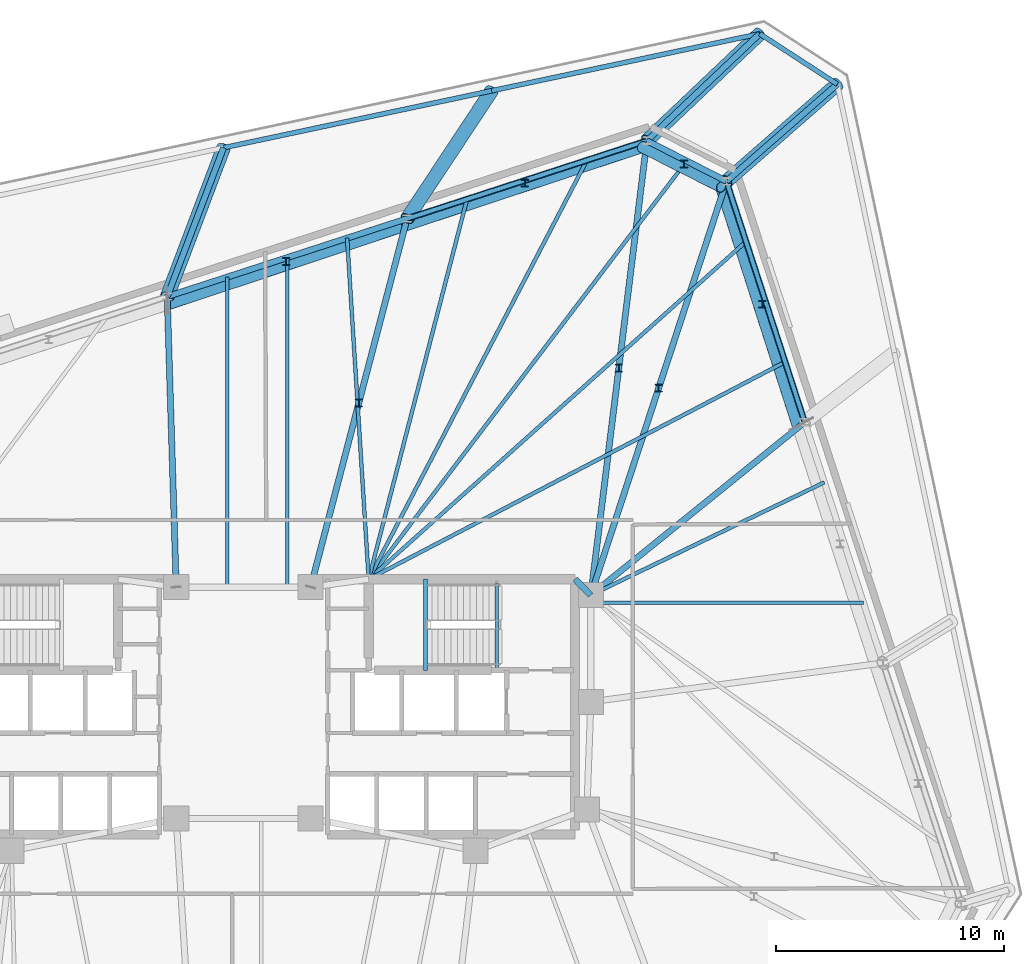
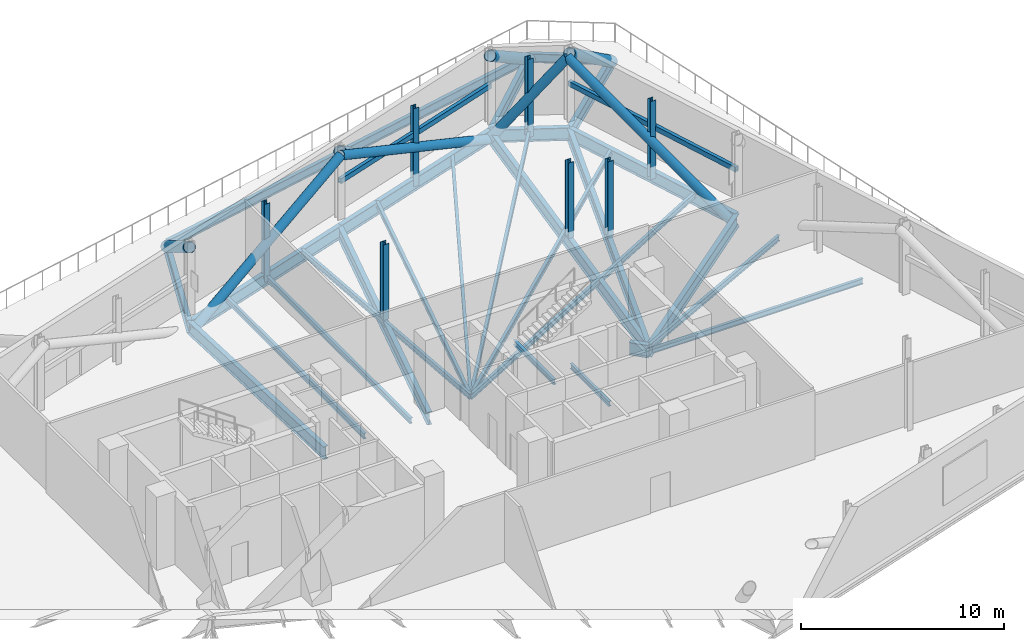
# One storey, part 8 of 16: 28 beams, 17 members.
"""IFC4 building model written with IfcOpenShell, lengths in metres."""

from ifc_helpers import new_model, si_unit, direction, frame, origin, origin_2d, place, context, subcontext, project, spatial, hollow_rectangle, hollow_circle, i_section, extrude, material, material_profile, profile_set, type_object, element, save


model = new_model("IFC4")

# Units and contexts
model_context = context("Model", 3, precision=1e-05, world=origin(), true_north=direction((0.0, 1.0)))
body_context = subcontext(model_context, "Body", "Model", "MODEL_VIEW")
ifc_project = project(units=[si_unit("LENGTHUNIT", "METRE"), si_unit("AREAUNIT", "SQUARE_METRE"), si_unit("VOLUMEUNIT", "CUBIC_METRE"), si_unit("PLANEANGLEUNIT", "RADIAN"), si_unit("MASSUNIT", "GRAM", prefix="KILO")], contexts=[model_context])

# Site, building, storey
site_placement = place(None, origin())
site = spatial("IfcSite", under=ifc_project, at=site_placement, CompositionType="ELEMENT")
building_placement = place(site_placement, origin())
building = spatial("IfcBuilding", under=site, at=building_placement, Name="Menara Jurai Vektor", CompositionType="ELEMENT")
storey_placement = place(building_placement, frame((0.0, 0.0, 202.39990234375)))
storey = spatial("IfcBuildingStorey", under=building, at=storey_placement, Name="L53", CompositionType="ELEMENT", Elevation=202.39990234375)

# Beams
ifc_material_1 = material(Name="Steel S355", Category="steel")
ifc_material_profile_1 = material_profile(ifc_material_1, i_section(OverallWidth=0.2109375, OverallDepth=0.5390625, WebThickness=0.011962890625, FlangeThickness=0.01904296875, FilletRadius=0.012939453125, at=origin_2d()), Name="UKB 533x210x109")
ifc_profile_set_1 = profile_set([ifc_material_profile_1], Name="Steel S355")
beam_type_1 = type_object("IfcBeamType", Name="STR-BM-533", PredefinedType="BEAM", material=ifc_profile_set_1)
beam_1_placement = place(storey_placement, frame((26.0712890625, 27.33349609375, -0.67431640625), z_axis=(-0.838675623749, 0.544631249681, 0.0), x_axis=(-0.544631249681, -0.838675623749, 0.0)))
element("IfcBeam", 1, at=beam_1_placement, inside=storey, type_object=beam_type_1, Name="Step Terrace Edge Beam L53-10", PredefinedType="BEAM", context=body_context, shape_type="SweptSolid", body=[
    extrude(i_section(OverallWidth=0.2109375, OverallDepth=0.5390625, WebThickness=0.011962890625, FlangeThickness=0.01904296875, FilletRadius=0.012939453125, at=origin_2d()), origin(), (0.0, 0.0, 1.0), 4.061767578125),
])
beam_2_placement = place(storey_placement, frame((22.664794921875, 29.545654296875, -0.67431640625), z_axis=(-0.978147039247, -0.207914332389, 0.0), x_axis=(0.207914332389, -0.978147039247, 0.0)))
element("IfcBeam", 2, at=beam_2_placement, inside=storey, type_object=beam_type_1, Name="Step Terrace Edge Beam L53-11", PredefinedType="BEAM", context=body_context, shape_type="SweptSolid", body=[
    extrude(i_section(OverallWidth=0.2109375, OverallDepth=0.5390625, WebThickness=0.011962890625, FlangeThickness=0.01904296875, FilletRadius=0.012939453125, at=origin_2d()), origin(), (0.0, 0.0, 1.0), 12.03125),
])
beam_3_placement = place(storey_placement, frame((10.896484375, 27.044189453125, -0.67431640625), z_axis=(-0.978150288855, -0.207899043801, 0.0), x_axis=(0.207899043801, -0.978150288855, 0.0)))
element("IfcBeam", 3, at=beam_3_placement, inside=storey, type_object=beam_type_1, Name="Step Terrace Edge Beam L53-12", PredefinedType="BEAM", context=body_context, shape_type="SweptSolid", body=[
    extrude(i_section(OverallWidth=0.2109375, OverallDepth=0.5390625, WebThickness=0.011962890625, FlangeThickness=0.01904296875, FilletRadius=0.012939453125, at=origin_2d()), origin(), (0.0, 0.0, 1.0), 12.031005859375),
])
ifc_material_2 = material(Name="Steel S460", Category="steel")
ifc_material_profile_2 = material_profile(ifc_material_2, i_section(OverallWidth=0.26806640625, OverallDepth=0.77001953125, WebThickness=0.01611328125, FlangeThickness=0.02490234375, FilletRadius=0.01708984375, at=origin_2d()), Name="UKB 762x267x197")
ifc_profile_set_2 = profile_set([ifc_material_profile_2], Name="Steel S460")
beam_type_2 = type_object("IfcBeamType", Name="STR-BM-TR762", PredefinedType="BEAM", material=ifc_profile_set_2)
beam_4_placement = place(storey_placement, frame((14.56005859375, 5.60009765625, -0.789794921875), z_axis=(0.701871936926, -0.712303154672, 0.0), x_axis=(0.712303154672, 0.701871936926, 0.0)))
element("IfcBeam", 4, at=beam_4_placement, inside=storey, type_object=beam_type_2, Name="Core Ring Header Girder L53-CHE-N2", PredefinedType="BEAM", context=body_context, shape_type="SweptSolid", body=[
    extrude(i_section(OverallWidth=0.26806640625, OverallDepth=0.77001953125, WebThickness=0.01611328125, FlangeThickness=0.02490234375, FilletRadius=0.01708984375, at=origin_2d()), origin(), (0.0, 0.0, 1.0), 0.98291015625),
])
beam_5_placement = place(storey_placement, frame((24.641845703125, 12.496826171875, -0.789794921875), z_axis=(-0.309038407092, 0.951049558615, 0.0), x_axis=(-0.951049558615, -0.309038407092, 0.0)))
element("IfcBeam", 5, at=beam_5_placement, inside=storey, type_object=beam_type_2, Name="Belt Truss Bottom Chord L53-09", PredefinedType="BEAM", context=body_context, shape_type="SweptSolid", body=[
    extrude(i_section(OverallWidth=0.26806640625, OverallDepth=0.77001953125, WebThickness=0.01611328125, FlangeThickness=0.02490234375, FilletRadius=0.01708984375, at=origin_2d()), origin(), (0.0, 0.0, 1.0), 11.118408203125),
])
beam_6_placement = place(storey_placement, frame((24.641845703125, 12.496826171875, -0.789794921875), z_axis=(-0.777487674144, -0.628898176619, 0.0), x_axis=(0.628898176619, -0.777487674144, 0.0)))
element("IfcBeam", 6, at=beam_6_placement, inside=storey, type_object=beam_type_2, Name="Outrigger Transfer Girder L53-E3", PredefinedType="BEAM", context=body_context, shape_type="SweptSolid", body=[
    extrude(i_section(OverallWidth=0.26806640625, OverallDepth=0.77001953125, WebThickness=0.01611328125, FlangeThickness=0.02490234375, FilletRadius=0.01708984375, at=origin_2d()), origin(), (0.0, 0.0, 1.0), 12.079833984375),
])
beam_7_placement = place(storey_placement, frame((21.205810546875, 23.071044921875, -0.789794921875), z_axis=(-0.890975804423, 0.454050785633, 0.0), x_axis=(-0.454050785633, -0.890975804423, 0.0)))
element("IfcBeam", 7, at=beam_7_placement, inside=storey, type_object=beam_type_2, Name="Belt Truss Bottom Chord L53-10", PredefinedType="BEAM", context=body_context, shape_type="SweptSolid", body=[
    extrude(i_section(OverallWidth=0.26806640625, OverallDepth=0.77001953125, WebThickness=0.01611328125, FlangeThickness=0.02490234375, FilletRadius=0.01708984375, at=origin_2d()), origin(), (0.0, 0.0, 1.0), 3.92041015625),
])
beam_8_placement = place(storey_placement, frame((26.0712890625, 27.33349609375, -0.789794921875), z_axis=(-0.752181426134, -0.658956069992, 0.0), x_axis=(0.658956069992, -0.752181426134, 0.0)))
element("IfcBeam", 8, at=beam_8_placement, inside=storey, type_object=beam_type_2, Name="Cantilever Transfer Girder L53-E4", PredefinedType="BEAM", context=body_context, shape_type="SweptSolid", body=[
    extrude(i_section(OverallWidth=0.26806640625, OverallDepth=0.77001953125, WebThickness=0.01611328125, FlangeThickness=0.02490234375, FilletRadius=0.01708984375, at=origin_2d()), origin(), (0.0, 0.0, 1.0), 6.468505859375),
])
beam_9_placement = place(storey_placement, frame((21.205810546875, 23.071044921875, -0.789794921875), z_axis=(-0.311459010005, -0.950259588263, 0.0), x_axis=(0.950259588263, -0.311459010005, 0.0)))
element("IfcBeam", 9, at=beam_9_placement, inside=storey, type_object=beam_type_2, Name="Outrigger Transfer Girder L53-E4", PredefinedType="BEAM", context=body_context, shape_type="SweptSolid", body=[
    extrude(i_section(OverallWidth=0.26806640625, OverallDepth=0.77001953125, WebThickness=0.01611328125, FlangeThickness=0.02490234375, FilletRadius=0.01708984375, at=origin_2d()), origin(), (0.0, 0.0, 1.0), 19.122314453125),
])
beam_10_placement = place(storey_placement, frame((17.712890625, 24.85107421875, -0.789794921875), z_axis=(-0.951050920942, -0.309034214572, 0.0), x_axis=(0.309034214572, -0.951050920942, 0.0)))
element("IfcBeam", 10, at=beam_10_placement, inside=storey, type_object=beam_type_2, Name="Belt Truss Bottom Chord L53-11", PredefinedType="BEAM", context=body_context, shape_type="SweptSolid", body=[
    extrude(i_section(OverallWidth=0.26806640625, OverallDepth=0.77001953125, WebThickness=0.01611328125, FlangeThickness=0.02490234375, FilletRadius=0.01708984375, at=origin_2d()), origin(), (0.0, 0.0, 1.0), 11.0712890625),
])
beam_11_placement = place(storey_placement, frame((22.664794921875, 29.545654296875, -0.789794921875), z_axis=(-0.72571101148, -0.687999656843, 0.0), x_axis=(0.687999656843, -0.72571101148, 0.0)))
element("IfcBeam", 11, at=beam_11_placement, inside=storey, type_object=beam_type_2, Name="Cantilever Transfer Girder L53-N1", PredefinedType="BEAM", context=body_context, shape_type="SweptSolid", body=[
    extrude(i_section(OverallWidth=0.26806640625, OverallDepth=0.77001953125, WebThickness=0.01611328125, FlangeThickness=0.02490234375, FilletRadius=0.01708984375, at=origin_2d()), origin(), (0.0, 0.0, 1.0), 6.823486328125),
])
beam_12_placement = place(storey_placement, frame((17.712890625, 24.85107421875, -0.789794921875), z_axis=(-0.122515938756, -0.99246654591, 0.0), x_axis=(0.99246654591, -0.122515938756, 0.0)))
element("IfcBeam", 12, at=beam_12_placement, inside=storey, type_object=beam_type_2, Name="Outrigger Transfer Girder L53-N1", PredefinedType="BEAM", context=body_context, shape_type="SweptSolid", body=[
    extrude(i_section(OverallWidth=0.26806640625, OverallDepth=0.77001953125, WebThickness=0.01611328125, FlangeThickness=0.02490234375, FilletRadius=0.01708984375, at=origin_2d()), origin(), (0.0, 0.0, 1.0), 20.1025390625),
])
beam_13_placement = place(storey_placement, frame((7.18359375, 21.4296875, -0.789794921875), z_axis=(-0.951057401967, -0.309014268544, 0.0), x_axis=(0.309014268544, -0.951057401967, 0.0)))
element("IfcBeam", 13, at=beam_13_placement, inside=storey, type_object=beam_type_2, Name="Belt Truss Bottom Chord L53-12", PredefinedType="BEAM", context=body_context, shape_type="SweptSolid", body=[
    extrude(i_section(OverallWidth=0.26806640625, OverallDepth=0.77001953125, WebThickness=0.01611328125, FlangeThickness=0.02490234375, FilletRadius=0.01708984375, at=origin_2d()), origin(), (0.0, 0.0, 1.0), 11.071044921875),
])
beam_14_placement = place(storey_placement, frame((7.18359375, 21.4296875, -0.789794921875), z_axis=(-0.253141463003, -0.96742927375, 0.0), x_axis=(0.96742927375, -0.253141463003, 0.0)))
element("IfcBeam", 14, at=beam_14_placement, inside=storey, type_object=beam_type_2, Name="Outrigger Transfer Girder L53-N2", PredefinedType="BEAM", context=body_context, shape_type="SweptSolid", body=[
    extrude(i_section(OverallWidth=0.26806640625, OverallDepth=0.77001953125, WebThickness=0.01611328125, FlangeThickness=0.02490234375, FilletRadius=0.01708984375, at=origin_2d()), origin(), (0.0, 0.0, 1.0), 16.724365234375),
])
beam_15_placement = place(storey_placement, frame((-0.87158203125, 24.54296875, -0.789794921875), z_axis=(-0.354096959866, -0.935208716284, 0.0), x_axis=(0.935208716284, -0.354096959866, 0.0)))
element("IfcBeam", 15, at=beam_15_placement, inside=storey, type_object=beam_type_2, Name="Cantilever Transfer Girder L53-N3", PredefinedType="BEAM", context=body_context, shape_type="SweptSolid", body=[
    extrude(i_section(OverallWidth=0.26806640625, OverallDepth=0.77001953125, WebThickness=0.01611328125, FlangeThickness=0.02490234375, FilletRadius=0.01708984375, at=origin_2d()), origin(), (0.0, 0.0, 1.0), 6.987060546875),
])
beam_16_placement = place(storey_placement, frame((-3.345703125, 18.008544921875, -0.789794921875), z_axis=(0.031003668991, -0.999519270704, 0.0), x_axis=(0.999519270704, 0.031003668991, 0.0)))
element("IfcBeam", 16, at=beam_16_placement, inside=storey, type_object=beam_type_2, Name="Outrigger Transfer Girder L53-N3", PredefinedType="BEAM", context=body_context, shape_type="SweptSolid", body=[
    extrude(i_section(OverallWidth=0.26806640625, OverallDepth=0.77001953125, WebThickness=0.01611328125, FlangeThickness=0.02490234375, FilletRadius=0.01708984375, at=origin_2d()), origin(), (0.0, 0.0, 1.0), 12.7646484375),
])

# Members
ifc_material_profile_3 = material_profile(ifc_material_2, hollow_circle(Radius=0.25390625, WallThickness=0.02001953125, at=origin_2d()), Name="CHS 508x20")
ifc_profile_set_3 = profile_set([ifc_material_profile_3], Name="Steel S460")
member_type_1 = type_object("IfcMemberType", Name="STR-BR-508", PredefinedType="BRACE", material=ifc_profile_set_3)
member_1_placement = place(storey_placement, frame((24.342529296875, 12.335205078125, -0.789794921875), z_axis=(-0.28058251207, 0.873338988447, 0.398186470361), x_axis=(-0.952070979814, -0.305877180247, 0.0)))
element("IfcMember", 17, at=member_1_placement, inside=storey, type_object=member_type_1, Name="Belt Truss Web Diagonal L53-09", PredefinedType="BRACE", context=body_context, shape_type="SweptSolid", body=[
    extrude(hollow_circle(Radius=0.25390625, WallThickness=0.02001953125, at=origin_2d()), origin(), (0.0, 0.0, 1.0), 12.009521484375),
])
member_2_placement = place(storey_placement, frame((17.508544921875, 24.5791015625, -0.789794921875), z_axis=(0.562353136287, -0.284981071391, 0.776237553238), x_axis=(0.452034820354, 0.892000292146, 0.0)))
element("IfcMember", 18, at=member_2_placement, inside=storey, type_object=member_type_1, Name="Belt Truss Web Diagonal L53-10", PredefinedType="BRACE", context=body_context, shape_type="SweptSolid", body=[
    extrude(hollow_circle(Radius=0.25390625, WallThickness=0.02001953125, at=origin_2d()), origin(), (0.0, 0.0, 1.0), 6.160400390625),
])
member_3_placement = place(storey_placement, frame((17.508544921875, 24.5791015625, -0.789794921875), z_axis=(-0.870739638185, -0.288443688289, 0.398262126217), x_axis=(0.314458305207, -0.949271285928, 0.0)))
element("IfcMember", 19, at=member_3_placement, inside=storey, type_object=member_type_1, Name="Belt Truss Web Diagonal L53-11", PredefinedType="BRACE", context=body_context, shape_type="SweptSolid", body=[
    extrude(hollow_circle(Radius=0.25390625, WallThickness=0.02001953125, at=origin_2d()), origin(), (0.0, 0.0, 1.0), 12.007080078125),
])
member_4_placement = place(storey_placement, frame((-3.333251953125, 17.6689453125, -0.789794921875), z_axis=(0.869702185624, 0.288606042136, 0.400405620295), x_axis=(-0.314955879371, 0.949106313355, 0.0)))
element("IfcMember", 20, at=member_4_placement, inside=storey, type_object=member_type_1, Name="Belt Truss Web Diagonal L53-12", PredefinedType="BRACE", context=body_context, shape_type="SweptSolid", body=[
    extrude(hollow_circle(Radius=0.25390625, WallThickness=0.02001953125, at=origin_2d()), origin(), (0.0, 0.0, 1.0), 11.94287109375),
])
ifc_material_profile_4 = material_profile(ifc_material_2, hollow_rectangle(XDim=0.199951171875, YDim=0.300048828125, WallThickness=0.012451171875, at=origin_2d()), Name="RHS 300x200x12.5")
ifc_profile_set_4 = profile_set([ifc_material_profile_4], Name="Steel S460")
member_type_2 = type_object("IfcMemberType", Name="STR-CH-RHS300", PredefinedType="CHORD", material=ifc_profile_set_4)
member_5_placement = place(storey_placement, frame((24.641845703125, 12.496826171875, 2.22998046875), z_axis=(-0.309018545885, 0.951056012178, 0.0), x_axis=(-0.951056012178, -0.309018545885, 0.0)))
element("IfcMember", 21, at=member_5_placement, inside=storey, type_object=member_type_2, Name="Belt Truss Mid Chord L53-09", PredefinedType="CHORD", context=body_context, shape_type="SweptSolid", body=[
    extrude(hollow_rectangle(XDim=0.199951171875, YDim=0.300048828125, WallThickness=0.012451171875, at=origin_2d()), origin(), (0.0, 0.0, 1.0), 11.118408203125),
])
member_6_placement = place(storey_placement, frame((17.712890625, 24.85107421875, 2.22998046875), z_axis=(-0.951050920942, -0.309034214572, 0.0), x_axis=(0.309034214572, -0.951050920942, 0.0)))
element("IfcMember", 22, at=member_6_placement, inside=storey, type_object=member_type_2, Name="Belt Truss Mid Chord L53-11", PredefinedType="CHORD", context=body_context, shape_type="SweptSolid", body=[
    extrude(hollow_rectangle(XDim=0.199951171875, YDim=0.300048828125, WallThickness=0.012451171875, at=origin_2d()), origin(), (0.0, 0.0, 1.0), 11.0712890625),
])

# Beams
ifc_material_profile_5 = material_profile(ifc_material_1, i_section(OverallWidth=0.1650390625, OverallDepth=0.330078125, WebThickness=0.009033203125, FlangeThickness=0.013916015625, at=origin_2d()), Name="PG 330x165x46")
ifc_profile_set_5 = profile_set([ifc_material_profile_5], Name="Steel S355")
beam_type_3 = type_object("IfcBeamType", Name="STR-JS-330", PredefinedType="JOIST", material=ifc_profile_set_5)
beam_17_placement = place(storey_placement, frame((27.218505859375, 4.56591796875, -0.56982421875), z_axis=(-1.0, 0.0, 0.0), x_axis=(0.0, -1.0, 0.0)))
element("IfcBeam", 23, at=beam_17_placement, inside=storey, type_object=beam_type_3, Name="Radial Secondary Floor Joist L53-JS11", PredefinedType="JOIST", context=body_context, shape_type="SweptSolid", body=[
    extrude(i_section(OverallWidth=0.1650390625, OverallDepth=0.330078125, WebThickness=0.009033203125, FlangeThickness=0.013916015625, at=origin_2d()), origin(), (0.0, 0.0, 1.0), 11.968505859375),
])
beam_18_placement = place(storey_placement, frame((25.500732421875, 9.853271484375, -0.56982421875), z_axis=(-0.900388578627, -0.435086666629, 0.0), x_axis=(0.435086666629, -0.900388578627, 0.0)))
element("IfcBeam", 24, at=beam_18_placement, inside=storey, type_object=beam_type_3, Name="Radial Secondary Floor Joist L53-JS12", PredefinedType="JOIST", context=body_context, shape_type="SweptSolid", body=[
    extrude(i_section(OverallWidth=0.1650390625, OverallDepth=0.330078125, WebThickness=0.009033203125, FlangeThickness=0.013916015625, at=origin_2d()), origin(), (0.0, 0.0, 1.0), 11.384765625),
])
beam_19_placement = place(storey_placement, frame((23.78271484375, 15.140380859375, -0.56982421875), z_axis=(-0.886555502614, -0.462622244153, 0.0), x_axis=(0.462622244153, -0.886555502614, 0.0)))
element("IfcBeam", 25, at=beam_19_placement, inside=storey, type_object=beam_type_3, Name="Radial Secondary Floor Joist L53-JS13", PredefinedType="JOIST", context=body_context, shape_type="SweptSolid", body=[
    extrude(i_section(OverallWidth=0.1650390625, OverallDepth=0.330078125, WebThickness=0.009033203125, FlangeThickness=0.013916015625, at=origin_2d()), origin(), (0.0, 0.0, 1.0), 20.6220703125),
])
beam_20_placement = place(storey_placement, frame((22.06494140625, 20.427490234375, -0.56982421875), z_axis=(-0.745104297608, -0.666947963252, 0.0), x_axis=(0.666947963252, -0.745104297608, 0.0)))
element("IfcBeam", 26, at=beam_20_placement, inside=storey, type_object=beam_type_3, Name="Radial Secondary Floor Joist L53-JS14", PredefinedType="JOIST", context=body_context, shape_type="SweptSolid", body=[
    extrude(i_section(OverallWidth=0.1650390625, OverallDepth=0.330078125, WebThickness=0.009033203125, FlangeThickness=0.013916015625, at=origin_2d()), origin(), (0.0, 0.0, 1.0), 22.231689453125),
])
beam_21_placement = place(storey_placement, frame((19.45947265625, 23.9609375, -0.56982421875), z_axis=(-0.605227110118, -0.796052853257, 0.0), x_axis=(0.796052853257, -0.605227110118, 0.0)))
element("IfcBeam", 27, at=beam_21_placement, inside=storey, type_object=beam_type_3, Name="Radial Secondary Floor Joist L53-JS15", PredefinedType="JOIST", context=body_context, shape_type="SweptSolid", body=[
    extrude(i_section(OverallWidth=0.1650390625, OverallDepth=0.330078125, WebThickness=0.009033203125, FlangeThickness=0.013916015625, at=origin_2d()), origin(), (0.0, 0.0, 1.0), 23.06494140625),
])
beam_22_placement = place(storey_placement, frame((15.08056640625, 23.99560546875, -0.56982421875), z_axis=(-0.461918215026, -0.886922523464, 0.0), x_axis=(0.886922523464, -0.461918215026, 0.0)))
element("IfcBeam", 28, at=beam_22_placement, inside=storey, type_object=beam_type_3, Name="Radial Secondary Floor Joist L53-JS16", PredefinedType="JOIST", context=body_context, shape_type="SweptSolid", body=[
    extrude(i_section(OverallWidth=0.1650390625, OverallDepth=0.330078125, WebThickness=0.009033203125, FlangeThickness=0.013916015625, at=origin_2d()), origin(), (0.0, 0.0, 1.0), 20.74072265625),
])
beam_23_placement = place(storey_placement, frame((9.81591796875, 22.28515625, -0.56982421875), z_axis=(-0.250427234151, -0.968135424616, 0.0), x_axis=(0.968135424616, -0.250427234151, 0.0)))
element("IfcBeam", 29, at=beam_23_placement, inside=storey, type_object=beam_type_3, Name="Radial Secondary Floor Joist L53-JS17", PredefinedType="JOIST", context=body_context, shape_type="SweptSolid", body=[
    extrude(i_section(OverallWidth=0.1650390625, OverallDepth=0.330078125, WebThickness=0.009033203125, FlangeThickness=0.013916015625, at=origin_2d()), origin(), (0.0, 0.0, 1.0), 17.234130859375),
])
beam_24_placement = place(storey_placement, frame((4.55126953125, 20.574462890625, -0.56982421875), z_axis=(0.063230194737, -0.997998969175, 0.0), x_axis=(0.997998969175, 0.063230194737, 0.0)))
element("IfcBeam", 30, at=beam_24_placement, inside=storey, type_object=beam_type_3, Name="Radial Secondary Floor Joist L53-JS18", PredefinedType="JOIST", context=body_context, shape_type="SweptSolid", body=[
    extrude(i_section(OverallWidth=0.1650390625, OverallDepth=0.330078125, WebThickness=0.009033203125, FlangeThickness=0.013916015625, at=origin_2d()), origin(), (0.0, 0.0, 1.0), 15.00439453125),
])
beam_25_placement = place(storey_placement, frame((1.9189453125, 19.71923828125, -0.56982421875), z_axis=(0.0, -1.0, 0.0), x_axis=(1.0, 0.0, 0.0)))
element("IfcBeam", 31, at=beam_25_placement, inside=storey, type_object=beam_type_3, Name="Radial Secondary Floor Joist L53-JS19", PredefinedType="JOIST", context=body_context, shape_type="SweptSolid", body=[
    extrude(i_section(OverallWidth=0.1650390625, OverallDepth=0.330078125, WebThickness=0.009033203125, FlangeThickness=0.013916015625, at=origin_2d()), origin(), (0.0, 0.0, 1.0), 14.46923828125),
])
beam_26_placement = place(storey_placement, frame((-0.71337890625, 18.864013671875, -0.56982421875), z_axis=(0.0, -1.0, 0.0), x_axis=(1.0, 0.0, 0.0)))
element("IfcBeam", 32, at=beam_26_placement, inside=storey, type_object=beam_type_3, Name="Radial Secondary Floor Joist L53-JS20", PredefinedType="JOIST", context=body_context, shape_type="SweptSolid", body=[
    extrude(i_section(OverallWidth=0.1650390625, OverallDepth=0.330078125, WebThickness=0.009033203125, FlangeThickness=0.013916015625, at=origin_2d()), origin(), (0.0, 0.0, 1.0), 13.614013671875),
])
ifc_material_profile_6 = material_profile(ifc_material_1, i_section(OverallWidth=0.1650390625, OverallDepth=0.302978515625, WebThickness=0.006103515625, FlangeThickness=0.010009765625, FilletRadius=0.009033203125, at=origin_2d()), Name="UKB 305x165x40")
ifc_profile_set_6 = profile_set([ifc_material_profile_6], Name="Steel S355")
beam_type_4 = type_object("IfcBeamType", Name="STR-LN-305", PredefinedType="LINTEL", material=ifc_profile_set_6)
beam_27_placement = place(storey_placement, frame((11.1201171875, 1.60009765625, -0.556396484375), z_axis=(0.0, 1.0, 0.0), x_axis=(-1.0, 0.0, 0.0)))
element("IfcBeam", 33, at=beam_27_placement, inside=storey, type_object=beam_type_4, Name="Stair Well Floor Trimmer ST2 L53", PredefinedType="LINTEL", context=body_context, shape_type="SweptSolid", body=[
    extrude(i_section(OverallWidth=0.1650390625, OverallDepth=0.302978515625, WebThickness=0.006103515625, FlangeThickness=0.010009765625, FilletRadius=0.009033203125, at=origin_2d()), origin(), (0.0, 0.0, 1.0), 3.81982421875),
])
beam_28_placement = place(storey_placement, frame((7.989990234375, 1.60009765625, 1.8486328125), z_axis=(0.0, 1.0, 0.0), x_axis=(-1.0, 0.0, 0.0)))
element("IfcBeam", 34, at=beam_28_placement, inside=storey, type_object=beam_type_4, Name="Stair Half-Landing Nosing Trimmer ST2-1 L53", PredefinedType="LINTEL", context=body_context, shape_type="SweptSolid", body=[
    extrude(i_section(OverallWidth=0.1650390625, OverallDepth=0.302978515625, WebThickness=0.006103515625, FlangeThickness=0.010009765625, FilletRadius=0.009033203125, at=origin_2d()), origin(), (0.0, 0.0, 1.0), 4.0),
])

# Members
ifc_material_profile_7 = material_profile(ifc_material_2, i_section(OverallWidth=0.31103515625, OverallDepth=0.326904296875, WebThickness=0.01611328125, FlangeThickness=0.02490234375, FilletRadius=0.014892578125, at=origin_2d()), Name="UKC 305x305x158")
ifc_profile_set_7 = profile_set([ifc_material_profile_7], Name="Steel S460")
member_type_3 = type_object("IfcMemberType", Name="STR-POST-305", PredefinedType="POST", material=ifc_profile_set_7)
member_7_placement = place(storey_placement, frame((22.781982421875, 17.673095703125, -0.7548828125), z_axis=(0.0, 0.0, 1.0), x_axis=(1.0, 0.0, 0.0)))
element("IfcMember", 35, at=member_7_placement, inside=storey, type_object=member_type_3, Name="Belt Truss Vertical Web Post L53-09", PredefinedType="POST", context=body_context, shape_type="SweptSolid", body=[
    extrude(i_section(OverallWidth=0.31103515625, OverallDepth=0.326904296875, WebThickness=0.01611328125, FlangeThickness=0.02490234375, FilletRadius=0.014892578125, at=origin_2d()), origin(), (0.0, 0.0, 1.0), 4.705078125),
])
member_8_placement = place(storey_placement, frame((18.22802734375, 13.985595703125, -0.40478515625), z_axis=(0.0, 0.0, 1.0), x_axis=(1.0, 0.0, 0.0)))
element("IfcMember", 36, at=member_8_placement, inside=storey, type_object=member_type_3, Name="Girder Hanger L53-E4", PredefinedType="POST", context=body_context, shape_type="SweptSolid", body=[
    extrude(i_section(OverallWidth=0.31103515625, OverallDepth=0.326904296875, WebThickness=0.01611328125, FlangeThickness=0.02490234375, FilletRadius=0.014892578125, at=origin_2d()), origin(), (0.0, 0.0, 1.0), 4.554931640625),
])
member_9_placement = place(storey_placement, frame((19.34326171875, 23.823486328125, -0.7548828125), z_axis=(0.0, 0.0, 1.0), x_axis=(1.0, 0.0, 0.0)))
element("IfcMember", 37, at=member_9_placement, inside=storey, type_object=member_type_3, Name="Belt Truss Vertical Web Post L53-10", PredefinedType="POST", context=body_context, shape_type="SweptSolid", body=[
    extrude(i_section(OverallWidth=0.31103515625, OverallDepth=0.326904296875, WebThickness=0.01611328125, FlangeThickness=0.02490234375, FilletRadius=0.014892578125, at=origin_2d()), origin(), (0.0, 0.0, 1.0), 4.705078125),
])
member_10_placement = place(storey_placement, frame((16.4814453125, 14.87548828125, -0.40478515625), z_axis=(0.0, 0.0, 1.0), x_axis=(1.0, 0.0, 0.0)))
element("IfcMember", 38, at=member_10_placement, inside=storey, type_object=member_type_3, Name="Girder Hanger L53-N1", PredefinedType="POST", context=body_context, shape_type="SweptSolid", body=[
    extrude(i_section(OverallWidth=0.31103515625, OverallDepth=0.326904296875, WebThickness=0.01611328125, FlangeThickness=0.02490234375, FilletRadius=0.014892578125, at=origin_2d()), origin(), (0.0, 0.0, 1.0), 4.554931640625),
])
member_11_placement = place(storey_placement, frame((12.356201171875, 22.985595703125, -0.7548828125), z_axis=(0.0, 0.0, 1.0), x_axis=(1.0, 0.0, 0.0)))
element("IfcMember", 39, at=member_11_placement, inside=storey, type_object=member_type_3, Name="Belt Truss Vertical Web Post L53-11", PredefinedType="POST", context=body_context, shape_type="SweptSolid", body=[
    extrude(i_section(OverallWidth=0.31103515625, OverallDepth=0.326904296875, WebThickness=0.01611328125, FlangeThickness=0.02490234375, FilletRadius=0.014892578125, at=origin_2d()), origin(), (0.0, 0.0, 1.0), 4.705078125),
])
member_12_placement = place(storey_placement, frame((5.06689453125, 13.33984375, -0.40478515625), z_axis=(0.0, 0.0, 1.0), x_axis=(1.0, 0.0, 0.0)))
element("IfcMember", 40, at=member_12_placement, inside=storey, type_object=member_type_3, Name="Girder Hanger L53-N2", PredefinedType="POST", context=body_context, shape_type="SweptSolid", body=[
    extrude(i_section(OverallWidth=0.31103515625, OverallDepth=0.326904296875, WebThickness=0.01611328125, FlangeThickness=0.02490234375, FilletRadius=0.014892578125, at=origin_2d()), origin(), (0.0, 0.0, 1.0), 4.554931640625),
])
member_13_placement = place(storey_placement, frame((1.882568359375, 19.54296875, -0.7548828125), z_axis=(0.0, 0.0, 1.0), x_axis=(1.0, 0.0, 0.0)))
element("IfcMember", 41, at=member_13_placement, inside=storey, type_object=member_type_3, Name="Belt Truss Vertical Web Post L53-12", PredefinedType="POST", context=body_context, shape_type="SweptSolid", body=[
    extrude(i_section(OverallWidth=0.31103515625, OverallDepth=0.326904296875, WebThickness=0.01611328125, FlangeThickness=0.02490234375, FilletRadius=0.014892578125, at=origin_2d()), origin(), (0.0, 0.0, 1.0), 4.705078125),
])
ifc_material_profile_8 = material_profile(ifc_material_2, hollow_circle(Radius=0.304931640625, WallThickness=0.02490234375, at=origin_2d()), Name="CHS 610x25")
ifc_profile_set_8 = profile_set([ifc_material_profile_8], Name="Steel S460")
member_type_4 = type_object("IfcMemberType", Name="STR-ST-610", PredefinedType="STRUT", material=ifc_profile_set_8)
member_14_placement = place(storey_placement, frame((26.0712890625, 27.33349609375, -0.789794921875), z_axis=(-0.604825802853, -0.529890289643, 0.594476264577), x_axis=(0.658974777837, -0.752165036528, 0.0)))
element("IfcMember", 42, at=member_14_placement, inside=storey, type_object=member_type_4, Name="Transfer Outrigger Strut L53-E4", PredefinedType="STRUT", context=body_context, shape_type="SweptSolid", body=[
    extrude(hollow_circle(Radius=0.304931640625, WallThickness=0.02490234375, at=origin_2d()), origin(), (0.0, 0.0, 1.0), 8.0439453125),
])
member_15_placement = place(storey_placement, frame((22.664794921875, 29.545654296875, -0.789794921875), z_axis=(-0.594299765776, -0.563417157033, 0.573906695866), x_axis=(0.687999656843, -0.72571101148, 0.0)))
element("IfcMember", 43, at=member_15_placement, inside=storey, type_object=member_type_4, Name="Transfer Outrigger Strut L53-N1", PredefinedType="STRUT", context=body_context, shape_type="SweptSolid", body=[
    extrude(hollow_circle(Radius=0.304931640625, WallThickness=0.02490234375, at=origin_2d()), origin(), (0.0, 0.0, 1.0), 8.332275390625),
])
member_16_placement = place(storey_placement, frame((10.896484375, 27.044189453125, -0.789794921875), z_axis=(-0.449674072071, -0.67998123589, 0.579153475122), x_axis=(0.834109150565, -0.551599424351, 0.0)))
element("IfcMember", 44, at=member_16_placement, inside=storey, type_object=member_type_4, Name="Transfer Outrigger Strut L53-N2", PredefinedType="STRUT", context=body_context, shape_type="SweptSolid", body=[
    extrude(hollow_circle(Radius=0.304931640625, WallThickness=0.02490234375, at=origin_2d()), origin(), (0.0, 0.0, 1.0), 8.2568359375),
])
member_17_placement = place(storey_placement, frame((-0.87158203125, 24.54296875, -0.789794921875), z_axis=(-0.292213154056, -0.771766831291, 0.564789722566), x_axis=(0.935208716284, -0.354096959866, 0.0)))
element("IfcMember", 45, at=member_17_placement, inside=storey, type_object=member_type_4, Name="Transfer Outrigger Strut L53-N3", PredefinedType="STRUT", context=body_context, shape_type="SweptSolid", body=[
    extrude(hollow_circle(Radius=0.304931640625, WallThickness=0.02490234375, at=origin_2d()), origin(), (0.0, 0.0, 1.0), 8.466796875),
])

save(model, "model.ifc")
